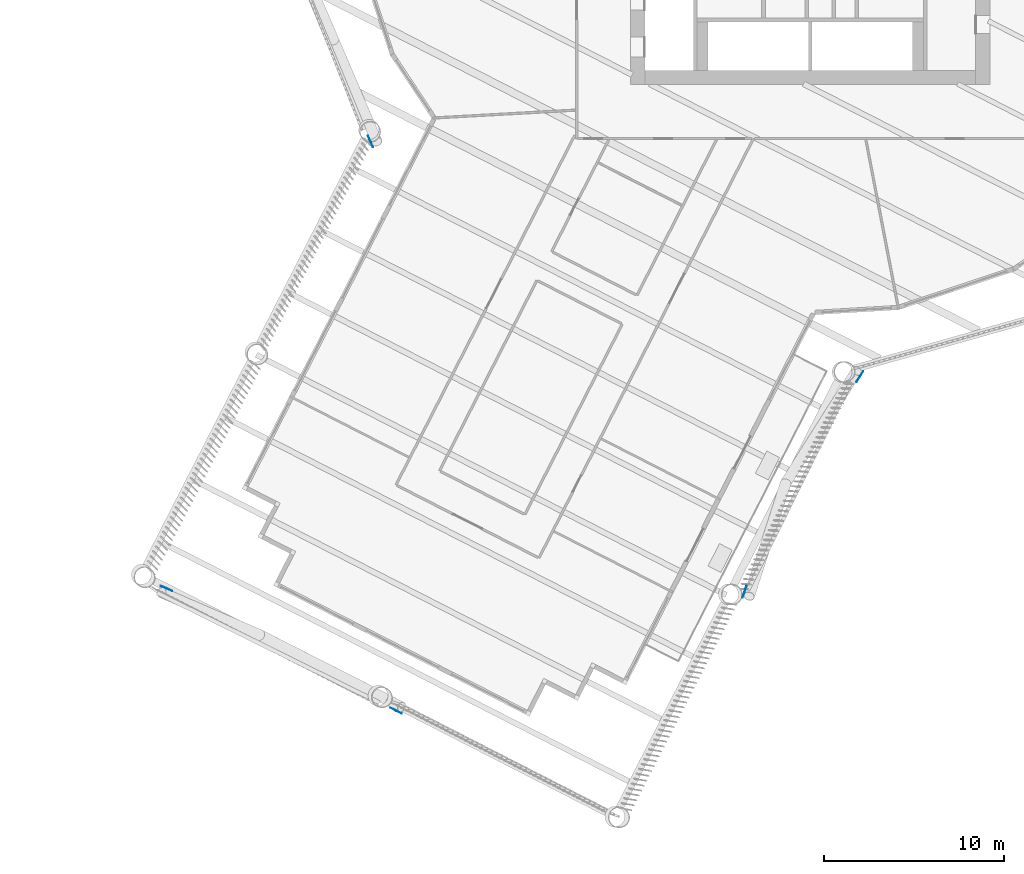
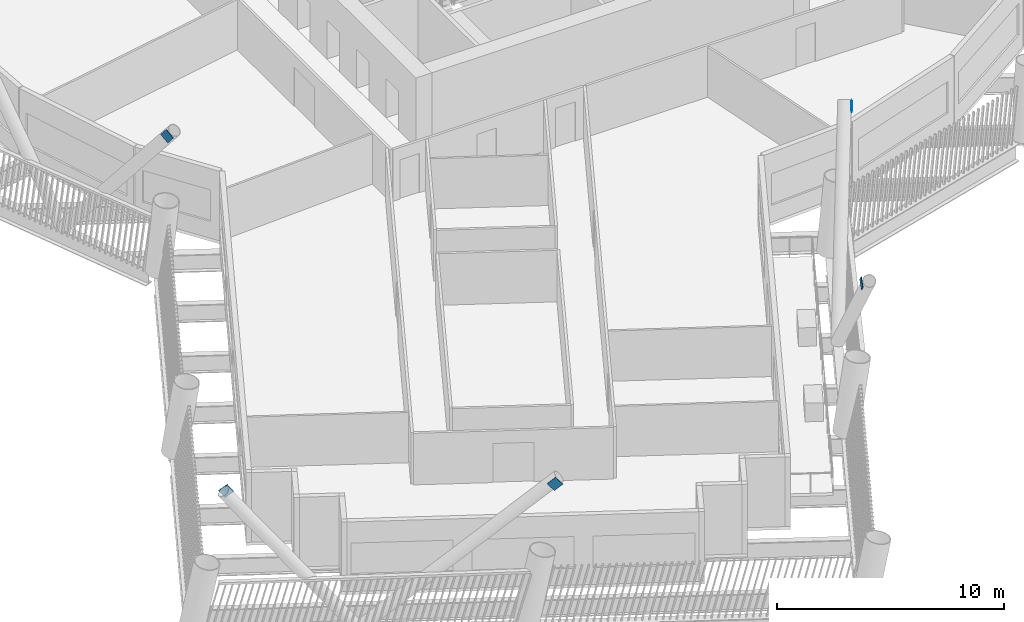
# One storey, part 8 of 21: 5 discrete accessories.
"""IFC4 building model written with IfcOpenShell, lengths in metres."""

from ifc_helpers import new_model, si_unit, direction, frame, origin, origin_2d, place, context, subcontext, project, spatial, rectangle, extrude, material, material_profile, profile_set, type_object, element, save


model = new_model("IFC4")

# Units and contexts
model_context = context("Model", 3, precision=1e-05, world=origin(), true_north=direction((0.0, 1.0)))
body_context = subcontext(model_context, "Body", "Model", "MODEL_VIEW")
ifc_project = project(units=[si_unit("LENGTHUNIT", "METRE"), si_unit("AREAUNIT", "SQUARE_METRE"), si_unit("VOLUMEUNIT", "CUBIC_METRE"), si_unit("PLANEANGLEUNIT", "RADIAN"), si_unit("MASSUNIT", "GRAM", prefix="KILO")], contexts=[model_context])

# Site, building, storey
site_placement = place(None, origin())
site = spatial("IfcSite", under=ifc_project, at=site_placement, CompositionType="ELEMENT")
building_placement = place(site_placement, origin())
building = spatial("IfcBuilding", under=site, at=building_placement, Name="Tarsis Ring Headquarters", CompositionType="ELEMENT")
storey_placement = place(building_placement, frame((0.0, 0.0, 100.60009765625)))
storey = spatial("IfcBuildingStorey", under=building, at=storey_placement, Name="L22", CompositionType="ELEMENT", Elevation=100.60009765625)

# Discrete accessories
ifc_material = material(Name="Structural steel S355", Category="steel")
ifc_material_profile = material_profile(ifc_material, rectangle(XDim=0.02490234375, YDim=0.5, at=origin_2d()), Name="PL 25x500")
ifc_profile_set = profile_set([ifc_material_profile], Name="Structural steel S355")
discrete_accessory_type = type_object("IfcDiscreteAccessoryType", Name="Gusset plate Exo brace 25", PredefinedType="BRACKET", material=ifc_profile_set)
for number, where, z_axis, x_axis, name in (
    (1, (-24.416748046875, -16.304931640625, 7.7998046875), (-0.242693777219, 0.570354792337, -0.784726156922), (-0.920160674682, -0.391540972018, 0.0), "Gusset plate GP5"),
    (2, (-22.891357421875, -47.931396484375, 7.7998046875), (-0.668433286002, 0.339831677909, -0.661597591331), (-0.453194061144, -0.891411881761, 0.0), "Gusset plate GP5"),
):
    element("IfcDiscreteAccessory", number, at=place(storey_placement, frame(where, z_axis=z_axis, x_axis=x_axis)), inside=storey, type_object=discrete_accessory_type, Name=name, PredefinedType="BRACKET", context=body_context, shape_type="SweptSolid", body=[
        extrude(rectangle(XDim=0.02490234375, YDim=0.5, at=origin_2d()), origin(), (0.0, 0.0, 1.0), 0.5),
    ])
for number, where, z_axis, x_axis, name in (
    (3, (-35.9775390625, -40.981201171875, 7.7998046875), (0.557765348705, -0.241275028249, -0.79415626707), (0.397020943734, 0.91780955009, 0.0), "Gusset plate GP5"),
    (4, (2.85546875, -29.102783203125, 7.7998046875), (-0.367807299058, -0.581262531048, -0.725845479947), (0.845032998844, -0.534714158092, 0.0), "Gusset plate GP5"),
):
    element("IfcDiscreteAccessory", number, at=place(storey_placement, frame(where, z_axis=z_axis, x_axis=x_axis)), inside=storey, type_object=discrete_accessory_type, Name=name, PredefinedType="BRACKET", context=body_context, shape_type="SweptSolid", body=[
        extrude(rectangle(XDim=0.02490234375, YDim=0.5, at=origin_2d()), origin(), (0.0, 0.0, 1.0), 0.499755859375),
    ])
discrete_accessory_placement = place(storey_placement, frame((-3.7041015625, -41.38134765625, 7.7998046875), z_axis=(0.199242455459, 0.615795922386, -0.76229772787), x_axis=(-0.951438019033, 0.30784037412, 0.0)))
element("IfcDiscreteAccessory", 5, at=discrete_accessory_placement, inside=storey, type_object=discrete_accessory_type, Name="Gusset plate GP5", PredefinedType="BRACKET", context=body_context, shape_type="SweptSolid", body=[
    extrude(rectangle(XDim=0.02490234375, YDim=0.5, at=origin_2d()), origin(), (0.0, 0.0, 1.0), 0.5),
])

save(model, "model.ifc")
